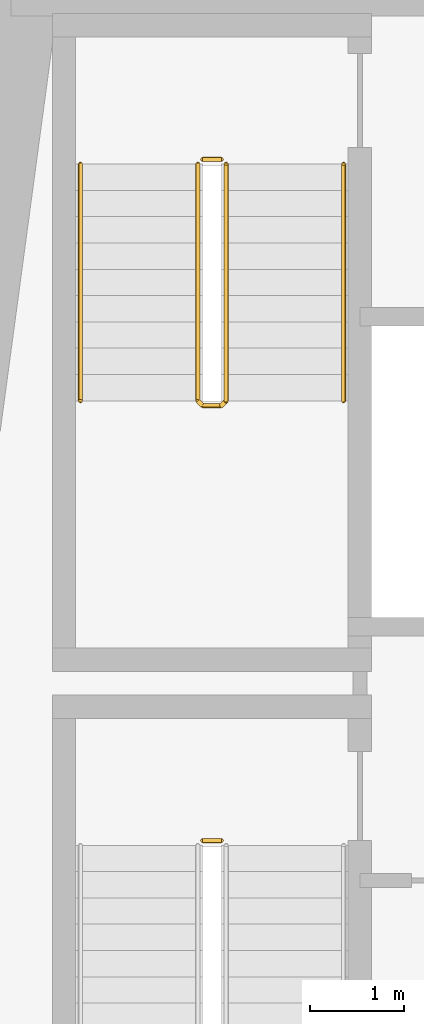
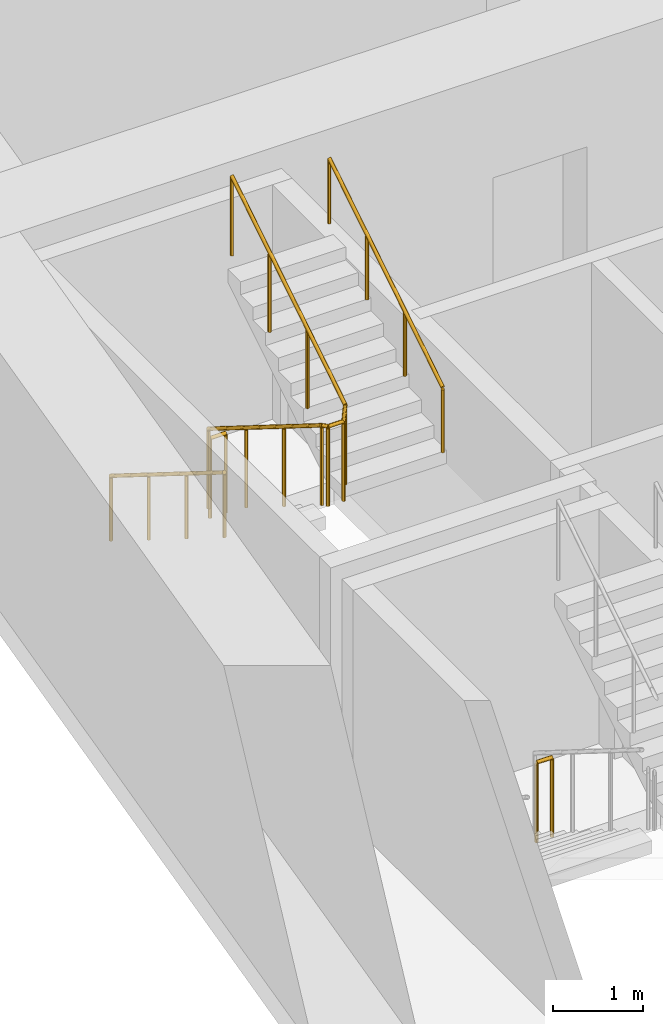
# One storey, part 9 of 12: 5 railings.
"""IFC4 building model written with IfcOpenShell, lengths in metres."""

from ifc_helpers import new_model, si_unit, direction, frame, origin, origin_2d, place, context, subcontext, project, spatial, circle, extrude, material, type_object, element, save


model = new_model("IFC4")

# Units and contexts
model_context = context("Model", 3, precision=1e-05, world=origin(), true_north=direction((0.0, 1.0)))
body_context = subcontext(model_context, "Body", "Model", "MODEL_VIEW")
ifc_project = project(units=[si_unit("LENGTHUNIT", "METRE"), si_unit("AREAUNIT", "SQUARE_METRE"), si_unit("VOLUMEUNIT", "CUBIC_METRE"), si_unit("PLANEANGLEUNIT", "RADIAN"), si_unit("MASSUNIT", "GRAM", prefix="KILO")], contexts=[model_context])

# Site, building, storey
site_placement = place(None, origin())
site = spatial("IfcSite", under=ifc_project, at=site_placement, CompositionType="ELEMENT")
building_placement = place(site_placement, origin())
building = spatial("IfcBuilding", under=site, at=building_placement, Name="Candeia Pilgrim Tower and Theatre", CompositionType="ELEMENT")
storey_placement = place(building_placement, frame((0.0, 0.0, 42.5)))
storey = spatial("IfcBuildingStorey", under=building, at=storey_placement, Name="L07", CompositionType="ELEMENT", Elevation=42.5)

# Railings
ifc_material_1 = material(Name="Stainless steel balustrade", Category="steel")
railing_type_1 = type_object("IfcRailingType", Name="RL-GUARD-1100", PredefinedType="GUARDRAIL", material=ifc_material_1)
railing_1_placement = place(storey_placement, frame((91.152099609375, 122.52490234375, 0.0)))
element("IfcRailing", 1, at=railing_1_placement, inside=storey, type_object=railing_type_1, Name="L07 ST1 stair guard 2", PredefinedType="GUARDRAIL", context=body_context, shape_type="SweptSolid", body=[
    extrude(circle(Radius=0.02392578125, at=origin_2d()), frame((0.0, 0.0, 1.076171875), z_axis=(1.0, 0.0, 0.0), x_axis=(0.0, 1.0, 0.0)), (0.0, 0.0, 1.0), 0.199951171875),
    extrude(circle(Radius=0.02099609375, at=origin_2d()), origin(), (0.0, 0.0, 1.0), 1.052001953125),
    extrude(circle(Radius=0.02099609375, at=origin_2d()), frame((0.199951171875, 0.0, 0.0)), (0.0, 0.0, 1.0), 1.052001953125),
])
railing_2_placement = place(storey_placement, frame((91.10205078125, 129.72509765625, 0.175048828125)))
element("IfcRailing", 2, at=railing_2_placement, inside=storey, type_object=railing_type_1, Name="L07 ST2 stair guard 1", PredefinedType="GUARDRAIL", context=body_context, shape_type="SweptSolid", body=[
    extrude(circle(Radius=0.02392578125, at=origin_2d()), frame((0.0, 0.0, 1.076171875), z_axis=(0.0, -0.848007534815, 0.529984170421), x_axis=(1.0, 0.0, 0.0)), (0.0, 0.0, 1.0), 2.9716796875),
    extrude(circle(Radius=0.02392578125, at=origin_2d()), frame((0.0, -2.52001953125, 2.65087890625), z_axis=(0.707106781187, -0.707106781187, 0.0), x_axis=(0.707106781187, 0.707106781187, 0.0)), (0.0, 0.0, 1.0), 0.07080078125),
    extrude(circle(Radius=0.02392578125, at=origin_2d()), frame((0.050048828125, -2.570068359375, 2.65087890625), z_axis=(1.0, 0.0, 0.0), x_axis=(0.0, 1.0, 0.0)), (0.0, 0.0, 1.0), 0.199951171875),
    extrude(circle(Radius=0.02392578125, at=origin_2d()), frame((0.25, -2.570068359375, 2.65087890625), z_axis=(0.265065253269, 0.265065253269, 0.927081885822), x_axis=(-0.707106781187, 0.707106781187, 0.0)), (0.0, 0.0, 1.0), 0.188720703125),
    extrude(circle(Radius=0.02392578125, at=origin_2d()), frame((0.300048828125, -2.52001953125, 2.826171875), z_axis=(0.0, 0.848007534815, 0.529984170421), x_axis=(-1.0, 0.0, 0.0)), (0.0, 0.0, 1.0), 2.9716796875),
    extrude(circle(Radius=0.02099609375, at=origin_2d()), origin(), (0.0, 0.0, 1.0), 1.052001953125),
    extrude(circle(Radius=0.02099609375, at=origin_2d()), frame((0.0, -0.840087890625, 0.52490234375)), (0.0, 0.0, 1.0), 1.052001953125),
    extrude(circle(Radius=0.02099609375, at=origin_2d()), frame((0.0, -1.679931640625, 1.050048828125)), (0.0, 0.0, 1.0), 1.052001953125),
    extrude(circle(Radius=0.02099609375, at=origin_2d()), frame((0.0, -2.52001953125, 1.574951171875)), (0.0, 0.0, 1.0), 1.052001953125),
    extrude(circle(Radius=0.02099609375, at=origin_2d()), frame((0.050048828125, -2.570068359375, 1.574951171875)), (0.0, 0.0, 1.0), 1.052001953125),
    extrude(circle(Radius=0.02099609375, at=origin_2d()), frame((0.25, -2.570068359375, 1.574951171875)), (0.0, 0.0, 1.0), 1.052001953125),
    extrude(circle(Radius=0.02099609375, at=origin_2d()), frame((0.300048828125, -2.52001953125, 1.75)), (0.0, 0.0, 1.0), 1.052001953125),
    extrude(circle(Radius=0.02099609375, at=origin_2d()), frame((0.300048828125, -1.679931640625, 2.27490234375)), (0.0, 0.0, 1.0), 1.052001953125),
    extrude(circle(Radius=0.02099609375, at=origin_2d()), frame((0.300048828125, -0.840087890625, 2.800048828125)), (0.0, 0.0, 1.0), 1.052001953125),
    extrude(circle(Radius=0.02099609375, at=origin_2d()), frame((0.300048828125, 0.0, 3.324951171875)), (0.0, 0.0, 1.0), 1.052001953125),
])
railing_3_placement = place(storey_placement, frame((91.152099609375, 129.77490234375, 0.0)))
element("IfcRailing", 3, at=railing_3_placement, inside=storey, type_object=railing_type_1, Name="L07 ST2 stair guard 2", PredefinedType="GUARDRAIL", context=body_context, shape_type="SweptSolid", body=[
    extrude(circle(Radius=0.02392578125, at=origin_2d()), frame((0.0, 0.0, 1.076171875), z_axis=(1.0, 0.0, 0.0), x_axis=(0.0, 1.0, 0.0)), (0.0, 0.0, 1.0), 0.199951171875),
    extrude(circle(Radius=0.02099609375, at=origin_2d()), origin(), (0.0, 0.0, 1.0), 1.052001953125),
    extrude(circle(Radius=0.02099609375, at=origin_2d()), frame((0.199951171875, 0.0, 0.0)), (0.0, 0.0, 1.0), 1.052001953125),
])
ifc_material_2 = material(Name="Stainless steel handrail", Category="steel")
railing_type_2 = type_object("IfcRailingType", Name="RL-HANDRAIL-900", PredefinedType="HANDRAIL", material=ifc_material_2)
railing_4_placement = place(storey_placement, frame((89.85205078125, 129.72509765625, 0.175048828125)))
element("IfcRailing", 4, at=railing_4_placement, inside=storey, type_object=railing_type_2, Name="L07 ST2 stair handrail 1", PredefinedType="HANDRAIL", context=body_context, shape_type="SweptSolid", body=[
    extrude(circle(Radius=0.02392578125, at=origin_2d()), frame((0.0, 0.0, 0.8759765625), z_axis=(0.0, -0.848007534815, 0.529984170421), x_axis=(1.0, 0.0, 0.0)), (0.0, 0.0, 1.0), 2.9716796875),
    extrude(circle(Radius=0.02099609375, at=origin_2d()), origin(), (0.0, 0.0, 1.0), 0.851806640625),
    extrude(circle(Radius=0.02099609375, at=origin_2d()), frame((0.0, -0.840087890625, 0.52490234375)), (0.0, 0.0, 1.0), 0.851806640625),
    extrude(circle(Radius=0.02099609375, at=origin_2d()), frame((0.0, -1.679931640625, 1.050048828125)), (0.0, 0.0, 1.0), 0.851806640625),
    extrude(circle(Radius=0.02099609375, at=origin_2d()), frame((0.0, -2.52001953125, 1.574951171875)), (0.0, 0.0, 1.0), 0.851806640625),
])
railing_5_placement = place(storey_placement, frame((92.652099609375, 127.205078125, 1.925048828125)))
element("IfcRailing", 5, at=railing_5_placement, inside=storey, type_object=railing_type_2, Name="L07 ST2 stair handrail 2", PredefinedType="HANDRAIL", context=body_context, shape_type="SweptSolid", body=[
    extrude(circle(Radius=0.02392578125, at=origin_2d()), frame((0.0, 0.0, 0.8759765625), z_axis=(0.0, 0.848007534815, 0.529984170421), x_axis=(-1.0, 0.0, 0.0)), (0.0, 0.0, 1.0), 2.9716796875),
    extrude(circle(Radius=0.02099609375, at=origin_2d()), origin(), (0.0, 0.0, 1.0), 0.851806640625),
    extrude(circle(Radius=0.02099609375, at=origin_2d()), frame((0.0, 0.840087890625, 0.52490234375)), (0.0, 0.0, 1.0), 0.851806640625),
    extrude(circle(Radius=0.02099609375, at=origin_2d()), frame((0.0, 1.679931640625, 1.050048828125)), (0.0, 0.0, 1.0), 0.851806640625),
    extrude(circle(Radius=0.02099609375, at=origin_2d()), frame((0.0, 2.52001953125, 1.574951171875)), (0.0, 0.0, 1.0), 0.851806640625),
])

save(model, "model.ifc")
